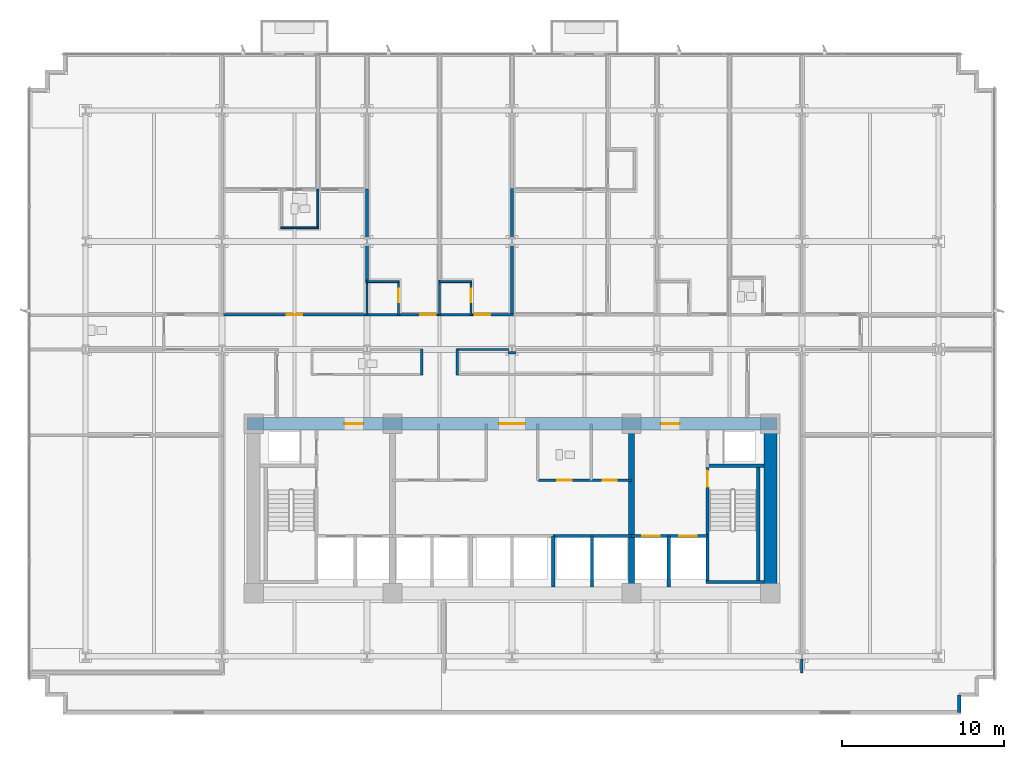
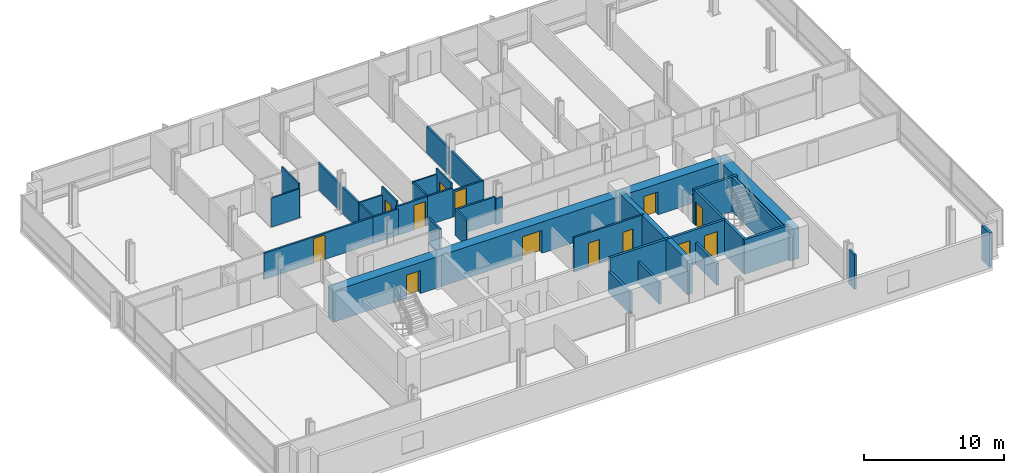
# One storey, part 9 of 15: 36 walls, 13 doors, 13 openings.
"""IFC4 building model written with IfcOpenShell, lengths in metres."""

from ifc_helpers import new_model, si_unit, direction, frame, frame_2d, origin, place, context, subcontext, project, spatial, rectangle, extrude, material, layer, layer_set, type_object, element, fill, save


model = new_model("IFC4")

# Units and contexts
model_context = context("Model", 3, precision=1e-05, world=origin(), true_north=direction((0.0, 1.0)))
body_context = subcontext(model_context, "Body", "Model", "MODEL_VIEW")
ifc_project = project(units=[si_unit("LENGTHUNIT", "METRE"), si_unit("AREAUNIT", "SQUARE_METRE"), si_unit("VOLUMEUNIT", "CUBIC_METRE"), si_unit("PLANEANGLEUNIT", "RADIAN"), si_unit("MASSUNIT", "GRAM", prefix="KILO")], contexts=[model_context])

# Site, building, storey
site_placement = place(None, origin())
site = spatial("IfcSite", under=ifc_project, at=site_placement, CompositionType="ELEMENT")
building_placement = place(site_placement, origin())
building = spatial("IfcBuilding", under=site, at=building_placement, Name="Solmavex Isthmus Hotel", CompositionType="ELEMENT")
storey_placement = place(building_placement, frame((0.0, 0.0, 71.25)))
storey = spatial("IfcBuildingStorey", under=building, at=storey_placement, Name="L19", CompositionType="ELEMENT", Elevation=71.25)

# Walls
ifc_material_1 = material(Name="Precast Concrete C40/50", Category="concrete")
ifc_layer_1 = layer(ifc_material_1, 0.25)
ifc_layer_set_1 = layer_set([ifc_layer_1], Name="Precast Concrete C40/50")
wall_type_1 = type_object("IfcWallType", Name="EW-TWR-250", PredefinedType="STANDARD", material=ifc_layer_set_1)
wall_1_placement = place(storey_placement, frame((27.68994140625, -19.2900390625, 0.0), z_axis=(0.0, 0.0, 1.0), x_axis=(0.0, -1.0, 0.0)))
element("IfcWall", 1, at=wall_1_placement, inside=storey, type_object=wall_type_1, Name="Serrated Corner Facade Panel L19-19", PredefinedType="STANDARD", context=body_context, shape_type="SweptSolid", body=[
    extrude(rectangle(XDim=1.099853515625, YDim=0.219970703125, at=frame_2d((0.5498046875, 0.0))), origin(), (0.0, 0.0, 1.0), 3.0),
])
ifc_material_2 = material(Name="Gypsum plasterboard lining", Category="gypsum")
ifc_layer_2 = layer(ifc_material_2, 0.159912109375)
ifc_layer_set_2 = layer_set([ifc_layer_2], Name="Gypsum plasterboard lining")
wall_type_2 = type_object("IfcWallType", Name="IW-COMP-160", PredefinedType="PARTITIONING", material=ifc_layer_set_2)
wall_2_placement = place(storey_placement, frame((-8.97607421875, 8.613037109375, 0.0), z_axis=(0.0, 0.0, 1.0), x_axis=(0.0, -1.0, 0.0)))
element("IfcWall", 2, at=wall_2_placement, inside=storey, type_object=wall_type_2, Name="Interior Partition Wall W-L19-P046", PredefinedType="PARTITIONING", context=body_context, shape_type="SweptSolid", body=[
    extrude(rectangle(XDim=2.39501953125, YDim=0.159912109375, at=frame_2d((1.197509765625, 0.0))), origin(), (0.0, 0.0, 1.0), 2.28955078125),
])
wall_3_placement = place(storey_placement, frame((-8.97607421875, 12.028076171875, 0.0), z_axis=(0.0, 0.0, 1.0), x_axis=(0.0, -1.0, 0.0)))
element("IfcWall", 3, at=wall_3_placement, inside=storey, type_object=wall_type_2, Name="Interior Partition Wall W-L19-P047", PredefinedType="PARTITIONING", context=body_context, shape_type="SweptSolid", body=[
    extrude(rectangle(XDim=3.065185546875, YDim=0.159912109375, at=frame_2d((1.53271484375, 0.0))), origin(), (0.0, 0.0, 1.0), 2.28955078125),
])
wall_4_placement = place(storey_placement, frame((0.0, 8.613037109375, 0.0), z_axis=(0.0, 0.0, 1.0), x_axis=(0.0, -1.0, 0.0)))
element("IfcWall", 4, at=wall_4_placement, inside=storey, type_object=wall_type_2, Name="Interior Partition Wall W-L19-P059", PredefinedType="PARTITIONING", context=body_context, shape_type="SweptSolid", body=[
    extrude(rectangle(XDim=4.403076171875, YDim=0.159912109375, at=frame_2d((2.20166015625, 0.0))), origin(), (0.0, 0.0, 1.0), 2.28955078125),
])
wall_5_placement = place(storey_placement, frame((0.0, 12.070068359375, 0.0), z_axis=(0.0, 0.0, 1.0), x_axis=(0.0, -1.0, 0.0)))
element("IfcWall", 5, at=wall_5_placement, inside=storey, type_object=wall_type_2, Name="Interior Partition Wall W-L19-P060", PredefinedType="PARTITIONING", context=body_context, shape_type="SweptSolid", body=[
    extrude(rectangle(XDim=3.107177734375, YDim=0.159912109375, at=frame_2d((1.5537109375, 0.0))), origin(), (0.0, 0.0, 1.0), 2.28955078125),
])
wall_6_placement = place(storey_placement, frame((17.951904296875, -17.074951171875, 0.0), z_axis=(0.0, 0.0, 1.0), x_axis=(0.0, -1.0, 0.0)))
element("IfcWall", 6, at=wall_6_placement, inside=storey, type_object=wall_type_2, Name="Interior Partition Wall W-L19-P093", PredefinedType="PARTITIONING", context=body_context, shape_type="SweptSolid", body=[
    extrude(rectangle(XDim=0.864990234375, YDim=0.159912109375, at=frame_2d((0.4326171875, 0.0))), origin(), (0.0, 0.0, 1.0), 3.0),
])

# Wall, openings, doors
ifc_layer_3 = layer(ifc_material_2, 0.14990234375)
ifc_layer_set_3 = layer_set([ifc_layer_3], Name="Gypsum plasterboard lining")
wall_type_3 = type_object("IfcWallType", Name="IW-CORR-150", PredefinedType="PARTITIONING", material=ifc_layer_set_3)
wall_7_placement = place(storey_placement, frame((1.60009765625, -6.0, 0.0), z_axis=(0.0, 0.0, 1.0), x_axis=(1.0, 0.0, 0.0)))
wall_7 = element("IfcWall", 7, at=wall_7_placement, inside=storey, type_object=wall_type_3, Name="Interior Partition Wall W-L19-BOH-ES", PredefinedType="PARTITIONING", context=body_context, shape_type="SweptSolid", body=[
    extrude(rectangle(XDim=5.7998046875, YDim=0.14990234375, at=frame_2d((2.89990234375, 0.0))), origin(), (0.0, 0.0, 1.0), 3.0),
])
opening_1_placement = place(wall_7_placement, frame((1.199951171875, 0.0, 0.0)))
opening_1 = element("IfcOpeningElement", 8, at=opening_1_placement, cuts=wall_7, Name="Opening ID-C090", PredefinedType="OPENING", context=body_context, shape_type="SweptSolid", body=[
    extrude(rectangle(XDim=0.89990234375, YDim=2.10009765625, at=frame_2d((0.449951171875, 1.050048828125))), frame((0.0, 0.0849609375, 0.0), z_axis=(0.0, -1.0, 0.0), x_axis=(1.0, 0.0, 0.0)), (0.0, 0.0, 1.0), 0.169921875),
])
opening_2_placement = place(wall_7_placement, frame((4.02490234375, 0.0, 0.0)))
opening_2 = element("IfcOpeningElement", 9, at=opening_2_placement, cuts=wall_7, Name="Opening ID-R085", PredefinedType="OPENING", context=body_context, shape_type="SweptSolid", body=[
    extrude(rectangle(XDim=0.85009765625, YDim=2.050048828125, at=frame_2d((0.425048828125, 1.02490234375))), frame((0.0, 0.0849609375, 0.0), z_axis=(0.0, -1.0, 0.0), x_axis=(1.0, 0.0, 0.0)), (0.0, 0.0, 1.0), 0.169921875),
])
ifc_material_3 = material(Name="Steel ASTM A500 Grade C", Category="steel")
door_type_1 = type_object("IfcDoorType", Name="IDR-FD60-0850", OperationType="NOTDEFINED", PredefinedType="DOOR", material=ifc_material_3)
door_1_placement = place(opening_2_placement, frame((0.85009765625, 0.0, 0.0), z_axis=(0.0, 0.0, 1.0), x_axis=(-1.0, 0.0, 0.0)))
door_1 = element("IfcDoor", 10, at=door_1_placement, inside=storey, type_object=door_type_1, Name="IT Room Door L19", OperationType="SINGLE_SWING_RIGHT", OverallHeight=2.050048828125, OverallWidth=0.85009765625, PredefinedType="DOOR", context=body_context, shape_type="SweptSolid", body=[
    extrude(rectangle(XDim=0.85009765625, YDim=2.050048828125, at=frame_2d((0.425048828125, 1.02490234375))), frame((0.0, 0.02490234375, 0.0), z_axis=(0.0, -1.0, 0.0), x_axis=(1.0, 0.0, 0.0)), (0.0, 0.0, 1.0), 0.050048828125),
])
fill(opening_2, door_1)
ifc_material_4 = material(Name="Hardwood timber", Category="wood")
door_type_2 = type_object("IfcDoorType", Name="IDR-FD60-0900", OperationType="NOTDEFINED", PredefinedType="DOOR", material=ifc_material_4)
door_2_placement = place(opening_1_placement, frame((0.89990234375, 0.0, 0.0), z_axis=(0.0, 0.0, 1.0), x_axis=(-1.0, 0.0, 0.0)))
door_2 = element("IfcDoor", 11, at=door_2_placement, inside=storey, type_object=door_type_2, Name="Staff Restroom Door L19", OperationType="SINGLE_SWING_LEFT", OverallHeight=2.10009765625, OverallWidth=0.89990234375, PredefinedType="DOOR", context=body_context, shape_type="SweptSolid", body=[
    extrude(rectangle(XDim=0.89990234375, YDim=2.10009765625, at=frame_2d((0.449951171875, 1.050048828125))), frame((0.0, 0.02490234375, 0.0), z_axis=(0.0, -1.0, 0.0), x_axis=(1.0, 0.0, 0.0)), (0.0, 0.0, 1.0), 0.050048828125),
])
fill(opening_1, door_2)

# Wall, opening, door
wall_8_placement = place(storey_placement, frame((-18.033935546875, 4.25, 0.0), z_axis=(0.0, 0.0, 1.0), x_axis=(1.0, 0.0, 0.0)))
wall_8 = element("IfcWall", 12, at=wall_8_placement, inside=storey, type_object=wall_type_3, Name="Interior Partition Wall W-L19-P002", PredefinedType="PARTITIONING", context=body_context, shape_type="SweptSolid", body=[
    extrude(rectangle(XDim=9.139892578125, YDim=0.14990234375, at=frame_2d((4.56982421875, 0.0))), origin(), (0.0, 0.0, 1.0), 2.28955078125),
])
opening_3_placement = place(wall_8_placement, frame((4.094970703125, 0.0, 0.0)))
opening_3 = element("IfcOpeningElement", 13, at=opening_3_placement, cuts=wall_8, Name="Opening ID-C095", PredefinedType="OPENING", context=body_context, shape_type="SweptSolid", body=[
    extrude(rectangle(XDim=0.949951171875, YDim=2.14990234375, at=frame_2d((0.47509765625, 1.074951171875))), frame((0.0, 0.0849609375, 0.0), z_axis=(0.0, -1.0, 0.0), x_axis=(1.0, 0.0, 0.0)), (0.0, 0.0, 1.0), 0.169921875),
])
door_type_3 = type_object("IfcDoorType", Name="IDR-FD60-0950", OperationType="NOTDEFINED", PredefinedType="DOOR", material=ifc_material_4)
door_3_placement = place(opening_3_placement, origin())
door_3 = element("IfcDoor", 14, at=door_3_placement, inside=storey, type_object=door_type_3, Name="Ambassador Suite Reception Foyer Door L19-02", OperationType="SINGLE_SWING_RIGHT", OverallHeight=2.14990234375, OverallWidth=0.949951171875, PredefinedType="DOOR", context=body_context, shape_type="SweptSolid", body=[
    extrude(rectangle(XDim=0.949951171875, YDim=2.14990234375, at=frame_2d((0.47509765625, 1.074951171875))), frame((0.0, 0.02490234375, 0.0), z_axis=(0.0, -1.0, 0.0), x_axis=(1.0, 0.0, 0.0)), (0.0, 0.0, 1.0), 0.050048828125),
])
fill(opening_3, door_3)

wall_9_placement = place(storey_placement, frame((-7.10791015625, 4.25, 0.0), z_axis=(0.0, 0.0, 1.0), x_axis=(1.0, 0.0, 0.0)))
wall_9 = element("IfcWall", 15, at=wall_9_placement, inside=storey, type_object=wall_type_3, Name="Interior Partition Wall W-L19-P003", PredefinedType="PARTITIONING", context=body_context, shape_type="SweptSolid", body=[
    extrude(rectangle(XDim=2.701904296875, YDim=0.14990234375, at=frame_2d((1.35107421875, 0.0))), origin(), (0.0, 0.0, 1.0), 2.528076171875),
])
opening_4_placement = place(wall_9_placement, frame((1.426513671875, 0.0, 0.0)))
opening_4 = element("IfcOpeningElement", 16, at=opening_4_placement, cuts=wall_9, Name="Opening ID-C095", PredefinedType="OPENING", context=body_context, shape_type="SweptSolid", body=[
    extrude(rectangle(XDim=0.949951171875, YDim=2.14990234375, at=frame_2d((0.47509765625, 1.074951171875))), frame((0.0, 0.0849609375, 0.0), z_axis=(0.0, -1.0, 0.0), x_axis=(1.0, 0.0, 0.0)), (0.0, 0.0, 1.0), 0.169921875),
])
door_4_placement = place(opening_4_placement, origin())
door_4 = element("IfcDoor", 17, at=door_4_placement, inside=storey, type_object=door_type_3, Name="Deluxe Guest Room Door L19-06", OperationType="SINGLE_SWING_RIGHT", OverallHeight=2.14990234375, OverallWidth=0.949951171875, PredefinedType="DOOR", context=body_context, shape_type="SweptSolid", body=[
    extrude(rectangle(XDim=0.949951171875, YDim=2.14990234375, at=frame_2d((0.47509765625, 1.074951171875))), frame((0.0, 0.02490234375, 0.0), z_axis=(0.0, -1.0, 0.0), x_axis=(1.0, 0.0, 0.0)), (0.0, 0.0, 1.0), 0.050048828125),
])
fill(opening_4, door_4)

# Wall
wall_10_placement = place(storey_placement, frame((-9.05810546875, 4.25, 0.0), z_axis=(0.0, 0.0, 1.0), x_axis=(1.0, 0.0, 0.0)))
element("IfcWall", 18, at=wall_10_placement, inside=storey, type_object=wall_type_3, Name="Interior Partition Wall W-L19-P004", PredefinedType="PARTITIONING", context=body_context, shape_type="SweptSolid", body=[
    extrude(rectangle(XDim=2.114013671875, YDim=0.14990234375, at=frame_2d((1.05712890625, 0.0))), origin(), (0.0, 0.0, 1.0), 2.28955078125),
])

# Wall, opening, door
wall_11_placement = place(storey_placement, frame((-2.6201171875, 4.25, 0.0), z_axis=(0.0, 0.0, 1.0), x_axis=(1.0, 0.0, 0.0)))
wall_11 = element("IfcWall", 19, at=wall_11_placement, inside=storey, type_object=wall_type_3, Name="Interior Partition Wall W-L19-P005", PredefinedType="PARTITIONING", context=body_context, shape_type="SweptSolid", body=[
    extrude(rectangle(XDim=2.7021484375, YDim=0.14990234375, at=frame_2d((1.35107421875, 0.0))), origin(), (0.0, 0.0, 1.0), 2.28955078125),
])
opening_5_placement = place(wall_11_placement, frame((0.325439453125, 0.0, 0.0)))
opening_5 = element("IfcOpeningElement", 20, at=opening_5_placement, cuts=wall_11, Name="Opening ID-C095", PredefinedType="OPENING", context=body_context, shape_type="SweptSolid", body=[
    extrude(rectangle(XDim=0.949951171875, YDim=2.14990234375, at=frame_2d((0.47509765625, 1.074951171875))), frame((0.0, 0.0849609375, 0.0), z_axis=(0.0, -1.0, 0.0), x_axis=(1.0, 0.0, 0.0)), (0.0, 0.0, 1.0), 0.169921875),
])
door_5_placement = place(opening_5_placement, origin())
door_5 = element("IfcDoor", 21, at=door_5_placement, inside=storey, type_object=door_type_3, Name="Twin Guest Room Door L19-08", OperationType="SINGLE_SWING_RIGHT", OverallHeight=2.14990234375, OverallWidth=0.949951171875, PredefinedType="DOOR", context=body_context, shape_type="SweptSolid", body=[
    extrude(rectangle(XDim=0.949951171875, YDim=2.14990234375, at=frame_2d((0.47509765625, 1.074951171875))), frame((0.0, 0.02490234375, 0.0), z_axis=(0.0, -1.0, 0.0), x_axis=(1.0, 0.0, 0.0)), (0.0, 0.0, 1.0), 0.050048828125),
])
fill(opening_5, door_5)

# Walls
wall_12_placement = place(storey_placement, frame((-4.570068359375, 4.25, 0.0), z_axis=(0.0, 0.0, 1.0), x_axis=(1.0, 0.0, 0.0)))
element("IfcWall", 22, at=wall_12_placement, inside=storey, type_object=wall_type_3, Name="Interior Partition Wall W-L19-P006", PredefinedType="PARTITIONING", context=body_context, shape_type="SweptSolid", body=[
    extrude(rectangle(XDim=2.114013671875, YDim=0.14990234375, at=frame_2d((1.05712890625, 0.0))), origin(), (0.0, 0.0, 1.0), 2.528076171875),
])
wall_13_placement = place(storey_placement, frame((-5.587890625, 0.510009765625, 0.0), z_axis=(0.0, 0.0, 1.0), x_axis=(0.0, 1.0, 0.0)))
element("IfcWall", 23, at=wall_13_placement, inside=storey, type_object=wall_type_3, Name="Interior Partition Wall W-L19-P018", PredefinedType="PARTITIONING", context=body_context, shape_type="SweptSolid", body=[
    extrude(rectangle(XDim=1.6298828125, YDim=0.14990234375, at=frame_2d((0.81494140625, 0.0))), origin(), (0.0, 0.0, 1.0), 2.28955078125),
])
wall_14_placement = place(storey_placement, frame((0.2548828125, 1.885009765625, 0.0), z_axis=(0.0, 0.0, 1.0), x_axis=(-1.0, 0.0, 0.0)))
element("IfcWall", 24, at=wall_14_placement, inside=storey, type_object=wall_type_3, Name="Interior Partition Wall W-L19-P023", PredefinedType="PARTITIONING", context=body_context, shape_type="SweptSolid", body=[
    extrude(rectangle(XDim=0.509765625, YDim=0.14990234375, at=frame_2d((0.2548828125, 0.0))), origin(), (0.0, 0.0, 1.0), 2.28955078125),
])
wall_15_placement = place(storey_placement, frame((-0.175048828125, 2.10009765625, 0.0), z_axis=(0.0, 0.0, 1.0), x_axis=(-1.0, 0.0, 0.0)))
element("IfcWall", 25, at=wall_15_placement, inside=storey, type_object=wall_type_3, Name="Interior Partition Wall W-L19-P024", PredefinedType="PARTITIONING", context=body_context, shape_type="SweptSolid", body=[
    extrude(rectangle(XDim=3.2529296875, YDim=0.14990234375, at=frame_2d((1.62646484375, 0.0))), origin(), (0.0, 0.0, 1.0), 2.28955078125),
])
wall_16_placement = place(storey_placement, frame((-3.387939453125, 2.139892578125, 0.0), z_axis=(0.0, 0.0, 1.0), x_axis=(0.0, -1.0, 0.0)))
element("IfcWall", 26, at=wall_16_placement, inside=storey, type_object=wall_type_3, Name="Interior Partition Wall W-L19-P025", PredefinedType="PARTITIONING", context=body_context, shape_type="SweptSolid", body=[
    extrude(rectangle(XDim=1.6298828125, YDim=0.14990234375, at=frame_2d((0.81494140625, 0.0))), origin(), (0.0, 0.0, 1.0), 2.28955078125),
])
ifc_layer_4 = layer(ifc_material_2, 0.1201171875)
ifc_layer_set_4 = layer_set([ifc_layer_4], Name="Gypsum plasterboard lining")
wall_type_4 = type_object("IfcWallType", Name="IW-PART-120", PredefinedType="PARTITIONING", material=ifc_layer_set_4)
wall_17_placement = place(storey_placement, frame((-14.303955078125, 9.637939453125, 0.0), z_axis=(0.0, 0.0, 1.0), x_axis=(1.0, 0.0, 0.0)))
element("IfcWall", 27, at=wall_17_placement, inside=storey, type_object=wall_type_4, Name="Interior Partition Wall W-L19-P044", PredefinedType="PARTITIONING", context=body_context, shape_type="SweptSolid", body=[
    extrude(rectangle(XDim=2.329833984375, YDim=0.1201171875, at=frame_2d((1.1650390625, 0.0))), origin(), (0.0, 0.0, 1.0), 2.528076171875),
])
wall_18_placement = place(storey_placement, frame((-12.013916015625, 9.597900390625, 0.0), z_axis=(0.0, 0.0, 1.0), x_axis=(0.0, 1.0, 0.0)))
element("IfcWall", 28, at=wall_18_placement, inside=storey, type_object=wall_type_4, Name="Interior Partition Wall W-L19-P045", PredefinedType="PARTITIONING", context=body_context, shape_type="SweptSolid", body=[
    extrude(rectangle(XDim=2.43017578125, YDim=0.1201171875, at=frame_2d((1.215087890625, 0.0))), origin(), (0.0, 0.0, 1.0), 3.0),
])
wall_19_placement = place(storey_placement, frame((-8.97607421875, 6.382080078125, 0.0), z_axis=(0.0, 0.0, 1.0), x_axis=(0.0, -1.0, 0.0)))
element("IfcWall", 29, at=wall_19_placement, inside=storey, type_object=wall_type_4, Name="Interior Partition Wall W-L19-P048", PredefinedType="PARTITIONING", context=body_context, shape_type="SweptSolid", body=[
    extrude(rectangle(XDim=2.172119140625, YDim=0.1201171875, at=frame_2d((1.0859375, 0.0))), origin(), (0.0, 0.0, 1.0), 2.28955078125),
])

# Wall, opening, door
wall_20_placement = place(storey_placement, frame((-7.02587890625, 4.2099609375, 0.0), z_axis=(0.0, 0.0, 1.0), x_axis=(0.0, 1.0, 0.0)))
wall_20 = element("IfcWall", 30, at=wall_20_placement, inside=storey, type_object=wall_type_4, Name="Interior Partition Wall W-L19-P053", PredefinedType="PARTITIONING", context=body_context, shape_type="SweptSolid", body=[
    extrude(rectangle(XDim=2.130126953125, YDim=0.1201171875, at=frame_2d((1.06494140625, 0.0))), origin(), (0.0, 0.0, 1.0), 3.0),
])
opening_6_placement = place(wall_20_placement, frame((0.812255859375, 0.0, 0.0)))
opening_6 = element("IfcOpeningElement", 31, at=opening_6_placement, cuts=wall_20, Name="Opening ID-U085", PredefinedType="OPENING", context=body_context, shape_type="SweptSolid", body=[
    extrude(rectangle(XDim=0.85009765625, YDim=2.10009765625, at=frame_2d((0.425048828125, 1.050048828125))), frame((0.0, 0.070068359375, 0.0), z_axis=(0.0, -1.0, 0.0), x_axis=(1.0, 0.0, 0.0)), (0.0, 0.0, 1.0), 0.14013671875),
])
door_type_4 = type_object("IfcDoorType", Name="IDR-UNR-0850", OperationType="NOTDEFINED", PredefinedType="DOOR", material=ifc_material_4)
door_6_placement = place(opening_6_placement, frame((0.85009765625, 0.0, 0.0), z_axis=(0.0, 0.0, 1.0), x_axis=(-1.0, 0.0, 0.0)))
door_6 = element("IfcDoor", 32, at=door_6_placement, inside=storey, type_object=door_type_4, Name="En-suite Bathroom Door L19-07", OperationType="SINGLE_SWING_LEFT", OverallHeight=2.10009765625, OverallWidth=0.85009765625, PredefinedType="DOOR", context=body_context, shape_type="SweptSolid", body=[
    extrude(rectangle(XDim=0.85009765625, YDim=2.10009765625, at=frame_2d((0.425048828125, 1.050048828125))), frame((0.0, 0.02490234375, 0.0), z_axis=(0.0, -1.0, 0.0), x_axis=(1.0, 0.0, 0.0)), (0.0, 0.0, 1.0), 0.050048828125),
])
fill(opening_6, door_6)

# Walls
wall_21_placement = place(storey_placement, frame((-6.986083984375, 6.300048828125, 0.0), z_axis=(0.0, 0.0, 1.0), x_axis=(-1.0, 0.0, 0.0)))
element("IfcWall", 33, at=wall_21_placement, inside=storey, type_object=wall_type_4, Name="Interior Partition Wall W-L19-P054", PredefinedType="PARTITIONING", context=body_context, shape_type="SweptSolid", body=[
    extrude(rectangle(XDim=2.030029296875, YDim=0.1201171875, at=frame_2d((1.01513671875, 0.0))), origin(), (0.0, 0.0, 1.0), 2.28955078125),
])
wall_22_placement = place(storey_placement, frame((-4.488037109375, 6.382080078125, 0.0), z_axis=(0.0, 0.0, 1.0), x_axis=(0.0, -1.0, 0.0)))
element("IfcWall", 34, at=wall_22_placement, inside=storey, type_object=wall_type_4, Name="Interior Partition Wall W-L19-P056", PredefinedType="PARTITIONING", context=body_context, shape_type="SweptSolid", body=[
    extrude(rectangle(XDim=2.172119140625, YDim=0.1201171875, at=frame_2d((1.0859375, 0.0))), origin(), (0.0, 0.0, 1.0), 2.528076171875),
])

# Wall, opening, door
wall_23_placement = place(storey_placement, frame((-2.5380859375, 4.2099609375, 0.0), z_axis=(0.0, 0.0, 1.0), x_axis=(0.0, 1.0, 0.0)))
wall_23 = element("IfcWall", 35, at=wall_23_placement, inside=storey, type_object=wall_type_4, Name="Interior Partition Wall W-L19-P057", PredefinedType="PARTITIONING", context=body_context, shape_type="SweptSolid", body=[
    extrude(rectangle(XDim=2.130126953125, YDim=0.1201171875, at=frame_2d((1.06494140625, 0.0))), origin(), (0.0, 0.0, 1.0), 3.0),
])
opening_7_placement = place(wall_23_placement, frame((0.812255859375, 0.0, 0.0)))
opening_7 = element("IfcOpeningElement", 36, at=opening_7_placement, cuts=wall_23, Name="Opening ID-U085", PredefinedType="OPENING", context=body_context, shape_type="SweptSolid", body=[
    extrude(rectangle(XDim=0.85009765625, YDim=2.10009765625, at=frame_2d((0.425048828125, 1.050048828125))), frame((0.0, 0.070068359375, 0.0), z_axis=(0.0, -1.0, 0.0), x_axis=(1.0, 0.0, 0.0)), (0.0, 0.0, 1.0), 0.14013671875),
])
door_7_placement = place(opening_7_placement, origin())
door_7 = element("IfcDoor", 37, at=door_7_placement, inside=storey, type_object=door_type_4, Name="En-suite Bathroom Door L19-09", OperationType="SINGLE_SWING_LEFT", OverallHeight=2.10009765625, OverallWidth=0.85009765625, PredefinedType="DOOR", context=body_context, shape_type="SweptSolid", body=[
    extrude(rectangle(XDim=0.85009765625, YDim=2.10009765625, at=frame_2d((0.425048828125, 1.050048828125))), frame((0.0, 0.02490234375, 0.0), z_axis=(0.0, -1.0, 0.0), x_axis=(1.0, 0.0, 0.0)), (0.0, 0.0, 1.0), 0.050048828125),
])
fill(opening_7, door_7)

# Walls
wall_24_placement = place(storey_placement, frame((-2.498046875, 6.300048828125, 0.0), z_axis=(0.0, 0.0, 1.0), x_axis=(-1.0, 0.0, 0.0)))
element("IfcWall", 38, at=wall_24_placement, inside=storey, type_object=wall_type_4, Name="Interior Partition Wall W-L19-P058", PredefinedType="PARTITIONING", context=body_context, shape_type="SweptSolid", body=[
    extrude(rectangle(XDim=2.030029296875, YDim=0.1201171875, at=frame_2d((1.01513671875, 0.0))), origin(), (0.0, 0.0, 1.0), 2.528076171875),
])
ifc_material_5 = material(Name="Concrete C40/50", Category="concrete")
ifc_layer_5 = layer(ifc_material_5, 0.179931640625)
ifc_layer_set_5 = layer_set([ifc_layer_5], Name="Concrete C40/50")
wall_type_5 = type_object("IfcWallType", Name="IW-SHAFT-180", PredefinedType="PARTITIONING", material=ifc_layer_set_5)
wall_25_placement = place(storey_placement, frame((4.949951171875, -12.60009765625, 0.0), z_axis=(0.0, 0.0, 1.0), x_axis=(0.0, 1.0, 0.0)))
element("IfcWall", 39, at=wall_25_placement, inside=storey, type_object=wall_type_5, Name="Interior Partition Wall W-L19-SH-PLH-M", PredefinedType="PARTITIONING", context=body_context, shape_type="SweptSolid", body=[
    extrude(rectangle(XDim=3.150146484375, YDim=0.179931640625, at=frame_2d((1.5751953125, 0.0))), origin(), (0.0, 0.0, 1.0), 1.885009765625),
])

# Wall, openings, doors
ifc_layer_6 = layer(ifc_material_5, 0.199951171875)
ifc_layer_set_6 = layer_set([ifc_layer_6], Name="Concrete C40/50")
wall_type_6 = type_object("IfcWallType", Name="IW-SHAFT-200", PredefinedType="PARTITIONING", material=ifc_layer_set_6)
wall_26_placement = place(storey_placement, frame((7.39990234375, -9.449951171875, 0.0), z_axis=(0.0, 0.0, 1.0), x_axis=(1.0, 0.0, 0.0)))
wall_26 = element("IfcWall", 40, at=wall_26_placement, inside=storey, type_object=wall_type_6, Name="Interior Partition Wall W-L19-FFLE-S", PredefinedType="PARTITIONING", context=body_context, shape_type="SweptSolid", body=[
    extrude(rectangle(XDim=4.7001953125, YDim=0.199951171875, at=frame_2d((2.35009765625, 0.0))), origin(), (0.0, 0.0, 1.0), 3.0),
])
opening_8_placement = place(wall_26_placement, frame((2.949951171875, 0.0, 0.0)))
opening_8 = element("IfcOpeningElement", 41, at=opening_8_placement, cuts=wall_26, Name="Opening LD-FF", PredefinedType="OPENING", context=body_context, shape_type="SweptSolid", body=[
    extrude(rectangle(XDim=1.10009765625, YDim=2.199951171875, at=frame_2d((0.550048828125, 1.10009765625))), frame((0.0, 0.10986328125, 0.0), z_axis=(0.0, -1.0, 0.0), x_axis=(1.0, 0.0, 0.0)), (0.0, 0.0, 1.0), 0.219970703125),
])
opening_9_placement = place(wall_26_placement, frame((0.64990234375, 0.0, 0.0)))
opening_9 = element("IfcOpeningElement", 42, at=opening_9_placement, cuts=wall_26, Name="Opening LD-SV", PredefinedType="OPENING", context=body_context, shape_type="SweptSolid", body=[
    extrude(rectangle(XDim=1.10009765625, YDim=2.199951171875, at=frame_2d((0.550048828125, 1.10009765625))), frame((0.0, 0.10986328125, 0.0), z_axis=(0.0, -1.0, 0.0), x_axis=(1.0, 0.0, 0.0)), (0.0, 0.0, 1.0), 0.219970703125),
])
ifc_material_6 = material(Name="Stainless steel 316", Category="steel")
door_type_5 = type_object("IfcDoorType", Name="LDR-FF-1100", OperationType="NOTDEFINED", PredefinedType="DOOR", material=ifc_material_6)
door_8_placement = place(opening_8_placement, origin())
door_8 = element("IfcDoor", 43, at=door_8_placement, inside=storey, type_object=door_type_5, Name="Lift Landing Door FFL-2 L19", OperationType="SLIDING_TO_LEFT", OverallHeight=2.199951171875, OverallWidth=1.10009765625, PredefinedType="DOOR", context=body_context, shape_type="SweptSolid", body=[
    extrude(rectangle(XDim=1.10009765625, YDim=2.199951171875, at=frame_2d((0.550048828125, 1.10009765625))), frame((0.0, 0.02490234375, 0.0), z_axis=(0.0, -1.0, 0.0), x_axis=(1.0, 0.0, 0.0)), (0.0, 0.0, 1.0), 0.050048828125),
])
fill(opening_8, door_8)
door_type_6 = type_object("IfcDoorType", Name="LDR-SV-1100", OperationType="NOTDEFINED", PredefinedType="DOOR", material=ifc_material_6)
door_9_placement = place(opening_9_placement, origin())
door_9 = element("IfcDoor", 44, at=door_9_placement, inside=storey, type_object=door_type_6, Name="Lift Landing Door SVL-2 L19", OperationType="SLIDING_TO_RIGHT", OverallHeight=2.199951171875, OverallWidth=1.10009765625, PredefinedType="DOOR", context=body_context, shape_type="SweptSolid", body=[
    extrude(rectangle(XDim=1.10009765625, YDim=2.199951171875, at=frame_2d((0.550048828125, 1.10009765625))), frame((0.0, 0.02490234375, 0.0), z_axis=(0.0, -1.0, 0.0), x_axis=(1.0, 0.0, 0.0)), (0.0, 0.0, 1.0), 0.050048828125),
])
fill(opening_9, door_9)

# Walls
for number, where, z_axis, x_axis, name in (
    (45, (9.699951171875, -12.60009765625, 0.0), (0.0, 0.0, 1.0), (0.0, 1.0, 0.0), "Interior Partition Wall W-L19-FFLE-M"),
    (46, (2.550048828125, -12.60009765625, 0.0), (0.0, 0.0, 1.0), (0.0, 1.0, 0.0), "Interior Partition Wall W-L19-SH-PLM-E"),
):
    element("IfcWall", number, at=place(storey_placement, frame(where, z_axis=z_axis, x_axis=x_axis)), inside=storey, type_object=wall_type_6, Name=name, PredefinedType="PARTITIONING", context=body_context, shape_type="SweptSolid", body=[
        extrude(rectangle(XDim=3.150146484375, YDim=0.199951171875, at=frame_2d((1.5751953125, 0.0))), origin(), (0.0, 0.0, 1.0), 1.885009765625),
    ])
wall_27_placement = place(storey_placement, frame((2.550048828125, -9.449951171875, 0.0), z_axis=(0.0, 0.0, 1.0), x_axis=(1.0, 0.0, 0.0)))
element("IfcWall", 47, at=wall_27_placement, inside=storey, type_object=wall_type_6, Name="Interior Partition Wall W-L19-SH-PLH", PredefinedType="PARTITIONING", context=body_context, shape_type="SweptSolid", body=[
    extrude(rectangle(XDim=4.849853515625, YDim=0.199951171875, at=frame_2d((2.4248046875, 0.0))), origin(), (0.0, 0.0, 1.0), 3.0),
])
ifc_material_7 = material(Name="Concrete C70/85", Category="concrete")
ifc_layer_7 = layer(ifc_material_7, 0.39990234375)
ifc_layer_set_7 = layer_set([ifc_layer_7], Name="Concrete C70/85")
wall_type_7 = type_object("IfcWallType", Name="WALL-CW-400L", PredefinedType="SHEAR", material=ifc_layer_set_7)
wall_28_placement = place(storey_placement, frame((7.39990234375, -12.60009765625, 0.0), z_axis=(0.0, 0.0, 1.0), x_axis=(0.0, 1.0, 0.0)))
element("IfcWall", 48, at=wall_28_placement, inside=storey, type_object=wall_type_7, Name="Core Cross Shear Wall C2 L19", PredefinedType="SHEAR", context=body_context, shape_type="SweptSolid", body=[
    extrude(rectangle(XDim=9.7001953125, YDim=0.39990234375, at=frame_2d((4.85009765625, 0.0))), origin(), (0.0, 0.0, 1.0), 3.0),
])

# Wall, openings, doors
ifc_layer_8 = layer(ifc_material_7, 0.800048828125)
ifc_layer_set_8 = layer_set([ifc_layer_8], Name="Concrete C70/85")
wall_type_8 = type_object("IfcWallType", Name="WALL-CW-800", PredefinedType="SHEAR", material=ifc_layer_set_8)
wall_29_placement = place(storey_placement, frame((-16.39990234375, -2.5, 0.0), z_axis=(0.0, 0.0, 1.0), x_axis=(1.0, 0.0, 0.0)))
wall_29 = element("IfcWall", 49, at=wall_29_placement, inside=storey, type_object=wall_type_8, Name="Core Shear Wall North L19", PredefinedType="SHEAR", context=body_context, shape_type="SweptSolid", body=[
    extrude(rectangle(XDim=32.7998046875, YDim=0.800048828125, at=frame_2d((16.39990234375, 0.0))), origin(), (0.0, 0.0, 1.0), 2.719970703125),
])
opening_10_placement = place(wall_29_placement, frame((6.02490234375, 0.0, 0.0)))
opening_10 = element("IfcOpeningElement", 50, at=opening_10_placement, cuts=wall_29, Name="Opening ID-F915", PredefinedType="OPENING", context=body_context, shape_type="SweptSolid", body=[
    extrude(rectangle(XDim=1.14990234375, YDim=2.0, at=frame_2d((0.574951171875, 1.0))), frame((0.0, 0.409912109375, 0.0), z_axis=(0.0, -1.0, 0.0), x_axis=(1.0, 0.0, 0.0)), (0.0, 0.0, 1.0), 0.820068359375),
])
opening_11_placement = place(wall_29_placement, frame((15.60009765625, 0.0, 0.0)))
opening_11 = element("IfcOpeningElement", 51, at=opening_11_placement, cuts=wall_29, Name="Opening ID-F960", PredefinedType="OPENING", context=body_context, shape_type="SweptSolid", body=[
    extrude(rectangle(XDim=1.60009765625, YDim=2.0, at=frame_2d((0.800048828125, 1.0))), frame((0.0, 0.409912109375, 0.0), z_axis=(0.0, -1.0, 0.0), x_axis=(1.0, 0.0, 0.0)), (0.0, 0.0, 1.0), 0.820068359375),
])
opening_12_placement = place(wall_29_placement, frame((25.625, 0.0, 0.0)))
opening_12 = element("IfcOpeningElement", 52, at=opening_12_placement, cuts=wall_29, Name="Opening ID-F915", PredefinedType="OPENING", context=body_context, shape_type="SweptSolid", body=[
    extrude(rectangle(XDim=1.14990234375, YDim=2.0, at=frame_2d((0.574951171875, 1.0))), frame((0.0, 0.409912109375, 0.0), z_axis=(0.0, -1.0, 0.0), x_axis=(1.0, 0.0, 0.0)), (0.0, 0.0, 1.0), 0.820068359375),
])
door_type_7 = type_object("IfcDoorType", Name="IDR-FD90-1150C", OperationType="NOTDEFINED", PredefinedType="DOOR", material=ifc_material_3)
door_10_placement = place(opening_10_placement, origin())
door_10 = element("IfcDoor", 53, at=door_10_placement, inside=storey, type_object=door_type_7, Name="Firefighting Lobby West Exit Door L19", OperationType="SINGLE_SWING_LEFT", OverallHeight=2.0, OverallWidth=1.14990234375, PredefinedType="DOOR", context=body_context, shape_type="SweptSolid", body=[
    extrude(rectangle(XDim=1.14990234375, YDim=2.0, at=frame_2d((0.574951171875, 1.0))), frame((0.0, 0.02490234375, 0.0), z_axis=(0.0, -1.0, 0.0), x_axis=(1.0, 0.0, 0.0)), (0.0, 0.0, 1.0), 0.050048828125),
])
fill(opening_10, door_10)
door_11_placement = place(opening_12_placement, origin())
door_11 = element("IfcDoor", 54, at=door_11_placement, inside=storey, type_object=door_type_7, Name="Firefighting Lobby East Exit Door L19", OperationType="SINGLE_SWING_RIGHT", OverallHeight=2.0, OverallWidth=1.14990234375, PredefinedType="DOOR", context=body_context, shape_type="SweptSolid", body=[
    extrude(rectangle(XDim=1.14990234375, YDim=2.0, at=frame_2d((0.574951171875, 1.0))), frame((0.0, 0.02490234375, 0.0), z_axis=(0.0, -1.0, 0.0), x_axis=(1.0, 0.0, 0.0)), (0.0, 0.0, 1.0), 0.050048828125),
])
fill(opening_12, door_11)
door_type_8 = type_object("IfcDoorType", Name="IDR-FD90-1600C", OperationType="NOTDEFINED", PredefinedType="DOOR", material=ifc_material_3)
door_12_placement = place(opening_11_placement, origin())
door_12 = element("IfcDoor", 55, at=door_12_placement, inside=storey, type_object=door_type_8, Name="Central Lift Lobby Door L19", OperationType="DOUBLE_DOOR_SINGLE_SWING", OverallHeight=2.0, OverallWidth=1.60009765625, PredefinedType="DOOR", context=body_context, shape_type="SweptSolid", body=[
    extrude(rectangle(XDim=1.60009765625, YDim=2.0, at=frame_2d((0.800048828125, 1.0))), frame((0.0, 0.02490234375, 0.0), z_axis=(0.0, -1.0, 0.0), x_axis=(1.0, 0.0, 0.0)), (0.0, 0.0, 1.0), 0.050048828125),
])
fill(opening_11, door_12)

# Walls
wall_30_placement = place(storey_placement, frame((16.0, -12.60009765625, 0.0), z_axis=(0.0, 0.0, 1.0), x_axis=(0.0, 1.0, 0.0)))
element("IfcWall", 56, at=wall_30_placement, inside=storey, type_object=wall_type_8, Name="Core Shear Wall East L19", PredefinedType="SHEAR", context=body_context, shape_type="SweptSolid", body=[
    extrude(rectangle(XDim=9.7001953125, YDim=0.800048828125, at=frame_2d((4.85009765625, 0.0))), origin(), (0.0, 0.0, 1.0), 2.719970703125),
])
ifc_layer_9 = layer(ifc_material_5, 0.199951171875)
ifc_layer_set_9 = layer_set([ifc_layer_9], Name="Concrete C40/50")
wall_type_9 = type_object("IfcWallType", Name="WALL-SW-200", PredefinedType="SOLIDWALL", material=ifc_layer_set_9)
for number, where, z_axis, x_axis, name in (
    (57, (12.0, -12.300048828125, 0.0), (0.0, 0.0, 1.0), (1.0, 0.0, 0.0), "Stairwell Structural Wall SW-L19-ST2-S"),
    (58, (12.0, -5.10009765625, 0.0), (0.0, 0.0, 1.0), (1.0, 0.0, 0.0), "Stairwell Structural Wall SW-L19-ST2-N"),
):
    element("IfcWall", number, at=place(storey_placement, frame(where, z_axis=z_axis, x_axis=x_axis)), inside=storey, type_object=wall_type_9, Name=name, PredefinedType="SOLIDWALL", context=body_context, shape_type="SweptSolid", body=[
        extrude(rectangle(XDim=3.60009765625, YDim=0.199951171875, at=frame_2d((1.800048828125, 0.0))), origin(), (0.0, 0.0, 1.0), 3.0),
    ])

# Wall, opening, door
wall_31_placement = place(storey_placement, frame((12.10009765625, -12.199951171875, 0.0), z_axis=(0.0, 0.0, 1.0), x_axis=(0.0, 1.0, 0.0)))
wall_31 = element("IfcWall", 59, at=wall_31_placement, inside=storey, type_object=wall_type_9, Name="Stairwell Structural Wall SW-L19-ST2-W", PredefinedType="SOLIDWALL", context=body_context, shape_type="SweptSolid", body=[
    extrude(rectangle(XDim=7.0, YDim=0.199951171875, at=frame_2d((3.5, 0.0))), origin(), (0.0, 0.0, 1.0), 3.0),
])
opening_13_placement = place(wall_31_placement, frame((5.800048828125, 0.0, 0.0)))
opening_13 = element("IfcOpeningElement", 60, at=opening_13_placement, cuts=wall_31, Name="Opening ID-F100", PredefinedType="OPENING", context=body_context, shape_type="SweptSolid", body=[
    extrude(rectangle(XDim=1.0, YDim=2.10009765625, at=frame_2d((0.5, 1.050048828125))), frame((0.0, 0.10986328125, 0.0), z_axis=(0.0, -1.0, 0.0), x_axis=(1.0, 0.0, 0.0)), (0.0, 0.0, 1.0), 0.219970703125),
])
door_type_9 = type_object("IfcDoorType", Name="IDR-FD90-1000", OperationType="NOTDEFINED", PredefinedType="DOOR", material=ifc_material_3)
door_13_placement = place(opening_13_placement, origin())
door_13 = element("IfcDoor", 61, at=door_13_placement, inside=storey, type_object=door_type_9, Name="Stair ST-2 Fire Door L19", OperationType="SINGLE_SWING_RIGHT", OverallHeight=2.10009765625, OverallWidth=1.0, PredefinedType="DOOR", context=body_context, shape_type="SweptSolid", body=[
    extrude(rectangle(XDim=1.0, YDim=2.10009765625, at=frame_2d((0.5, 1.050048828125))), frame((0.0, 0.02490234375, 0.0), z_axis=(0.0, -1.0, 0.0), x_axis=(1.0, 0.0, 0.0)), (0.0, 0.0, 1.0), 0.050048828125),
])
fill(opening_13, door_13)

# Wall
wall_32_placement = place(storey_placement, frame((15.25, -12.199951171875, 0.0), z_axis=(0.0, 0.0, 1.0), x_axis=(0.0, 1.0, 0.0)))
element("IfcWall", 62, at=wall_32_placement, inside=storey, type_object=wall_type_9, Name="Stairwell Structural Wall SW-L19-ST2-E", PredefinedType="SOLIDWALL", context=body_context, shape_type="SweptSolid", body=[
    extrude(rectangle(XDim=7.0, YDim=0.199951171875, at=frame_2d((3.5, 0.0))), origin(), (0.0, 0.0, 1.0), 3.0),
])

save(model, "model.ifc")
